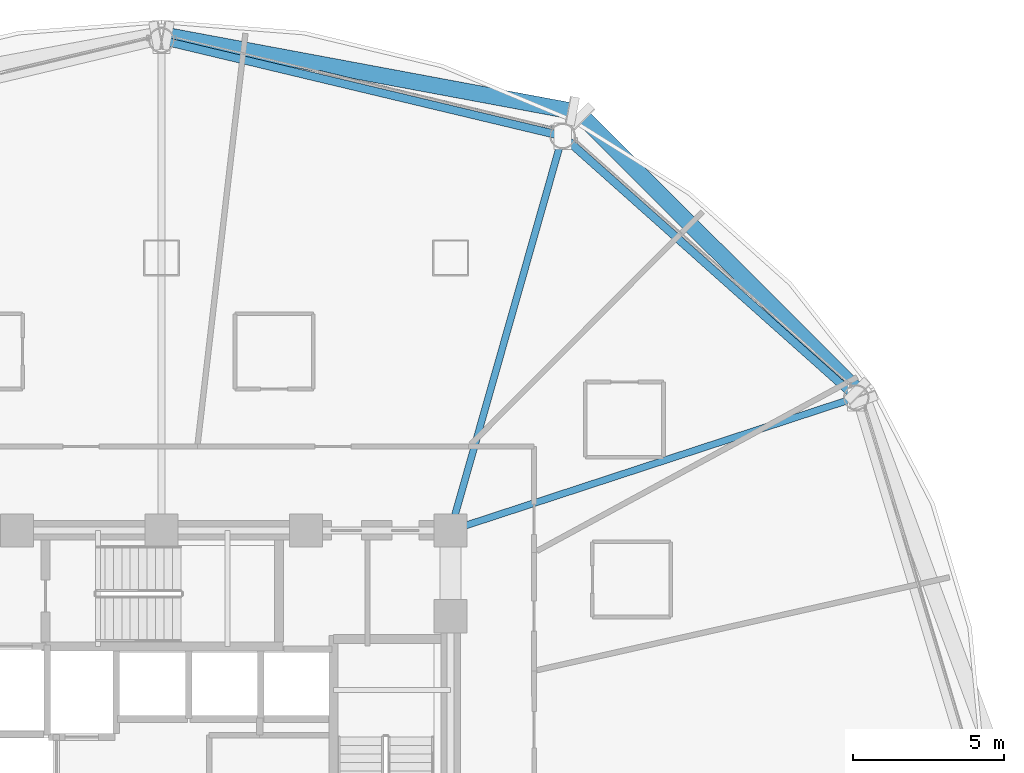
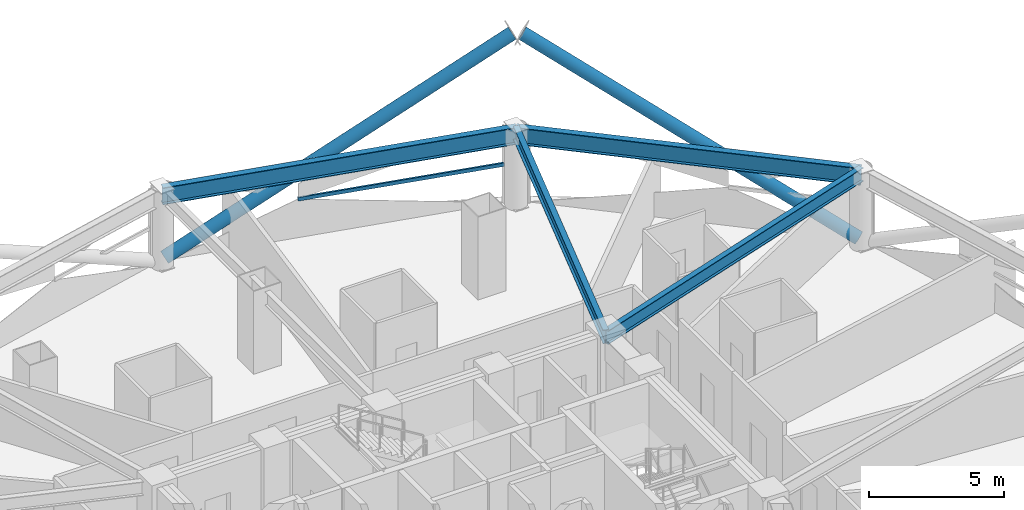
# One storey, part 19 of 30: 4 beams, 3 members, 1 element without a shape of its own.
"""IFC4 building model written with IfcOpenShell, lengths in metres."""

import ifcopenshell
import ifcopenshell.guid

model = None  # the IFC model being written
_history = None  # IfcOwnerHistory: only IFC2X3 demands one
_inside = {}  # id of a spatial element -> (the spatial element, [elements in it])
_under = {}  # id of a project, library or spatial element -> (it, [spatial elements below it])
_declared = {}  # id of a project -> (the project, [libraries it declares])
_typed = {}  # id of a type object -> (the type object, [elements of that type])
_made_of = {}  # id of a material, layer set ... -> (it, [elements and type objects made of it])


def new_model(schema):
    """Start an empty IFC model of exactly this schema.

    Asked for "IFC4X3", IfcOpenShell would pick the latest addendum, in which some entities
    have other attributes; the version numbers below select the first issue.
    IFC2X3 requires an IfcOwnerHistory on every rooted entity: one is made here for all.
    """
    global model, _history
    if schema == "IFC4X3":
        model = ifcopenshell.file(schema_version=(4, 3, 0, 0))
    else:
        model = ifcopenshell.file(schema=schema)
    _inside.clear()
    _under.clear()
    _declared.clear()
    _typed.clear()
    _made_of.clear()
    _history = None
    if model.schema == "IFC2X3":
        org = make("IfcOrganization", Name="unknown")
        user = make(
            "IfcPersonAndOrganization",
            ThePerson=make("IfcPerson", FamilyName="unknown"),
            TheOrganization=org,
        )
        app = make(
            "IfcApplication",
            ApplicationDeveloper=org,
            Version="unknown",
            ApplicationFullName="unknown",
            ApplicationIdentifier="unknown",
        )
        _history = make(
            "IfcOwnerHistory",
            OwningUser=user,
            OwningApplication=app,
            ChangeAction="ADDED",
            CreationDate=0,
        )
    return model


def make(cls, **values):
    """One entity of the class cls with the attributes given. An attribute that is None is left unset."""
    return model.create_entity(
        cls, **{name: value for name, value in values.items() if value is not None}
    )


def rooted(cls, **values):
    """An entity with a GlobalId (a new one), such as an element, a storey or a relation."""
    return make(cls, GlobalId=ifcopenshell.guid.new(), OwnerHistory=_history, **values)


def si_unit(unit_type, name, prefix=None):
    """IfcSIUnit, for example si_unit("LENGTHUNIT", "METRE", prefix="MILLI")."""
    return make("IfcSIUnit", UnitType=unit_type, Prefix=prefix, Name=name)


def assignment(units):
    """IfcUnitAssignment: the units of a project."""
    return None if units is None else make("IfcUnitAssignment", Units=units)


def point(xyz):
    """IfcCartesianPoint."""
    return None if xyz is None else make("IfcCartesianPoint", Coordinates=xyz)


def direction(xyz):
    """IfcDirection."""
    return None if xyz is None else make("IfcDirection", DirectionRatios=xyz)


def frame(location, z_axis=None, x_axis=None):
    """IfcAxis2Placement3D, a coordinate frame: its origin and axes. An axis left out is left unset."""
    return make(
        "IfcAxis2Placement3D",
        Location=point(location),
        Axis=direction(z_axis),
        RefDirection=direction(x_axis),
    )


def frame_2d(location, x_axis=None):
    """IfcAxis2Placement2D, a coordinate frame in the plane: its origin and x axis."""
    return make(
        "IfcAxis2Placement2D", Location=point(location), RefDirection=direction(x_axis)
    )


def origin():
    """The frame at (0, 0, 0) with its axes left unset."""
    return frame((0.0, 0.0, 0.0))


def origin_2d():
    """The frame at (0, 0) in the plane with its x axis left unset."""
    return frame_2d((0.0, 0.0))


def place(relative_to, where):
    """IfcLocalPlacement: puts the frame where relative to a parent placement (None: the world)."""
    return make(
        "IfcLocalPlacement", PlacementRelTo=relative_to, RelativePlacement=where
    )


def context(
    kind, dimensions, precision=None, world=None, true_north=None, identifier=None
):
    """IfcGeometricRepresentationContext, for example the 3D "Model" context."""
    return make(
        "IfcGeometricRepresentationContext",
        ContextIdentifier=identifier,
        ContextType=kind,
        CoordinateSpaceDimension=dimensions,
        Precision=precision,
        WorldCoordinateSystem=world,
        TrueNorth=true_north,
    )


def subcontext(parent, identifier, kind, view, scale=None):
    """IfcGeometricRepresentationSubContext, for example "Body" below "Model"."""
    return make(
        "IfcGeometricRepresentationSubContext",
        ContextIdentifier=identifier,
        ContextType=kind,
        ParentContext=parent,
        TargetScale=scale,
        TargetView=view,
    )


def project(units=None, contexts=None):
    """IfcProject with its units and contexts."""
    return rooted(
        "IfcProject",
        Name="project",
        RepresentationContexts=contexts,
        UnitsInContext=assignment(units),
    )


def spatial(cls, under=None, at=None, **own):
    """A site, building, storey or space (cls), placed at a placement, below another one or the project."""
    s = rooted(cls, ObjectPlacement=at, **own)
    if under is not None:
        _under.setdefault(under.id(), (under, []))[1].append(s)
    return s


def profile(cls, at=None, kind="AREA", **sizes):
    """A parametric profile (cls). Its sizes go by their IFC names, for example OverallWidth=200.0."""
    return make(cls, ProfileType=kind, Position=at, **sizes)


def hollow_rectangle(**sizes):
    """IfcRectangleHollowProfileDef."""
    return profile("IfcRectangleHollowProfileDef", **sizes)


def hollow_circle(**sizes):
    """IfcCircleHollowProfileDef."""
    return profile("IfcCircleHollowProfileDef", **sizes)


def i_section(**sizes):
    """IfcIShapeProfileDef."""
    return profile("IfcIShapeProfileDef", **sizes)


def extrude(swept, where, along, depth):
    """IfcExtrudedAreaSolid: the profile swept, set in the frame where, extruded along a direction by depth."""
    return make(
        "IfcExtrudedAreaSolid",
        SweptArea=swept,
        Position=where,
        ExtrudedDirection=direction(along),
        Depth=depth,
    )


def shape(context_of_items, identifier, shape_type, items):
    """IfcShapeRepresentation: the items that make up one representation, for example the "Body"."""
    return make(
        "IfcShapeRepresentation",
        ContextOfItems=context_of_items,
        RepresentationIdentifier=identifier,
        RepresentationType=shape_type,
        Items=items,
    )


def material(Name=None, Category=None):
    """IfcMaterial."""
    return make("IfcMaterial", Name=Name, Category=Category)


def layer(
    of_material, thickness, ventilated=None, Name=None, Category=None, Priority=None
):
    """IfcMaterialLayer: one layer of a wall or slab, of a material (None: an air gap)."""
    return make(
        "IfcMaterialLayer",
        Material=of_material,
        LayerThickness=thickness,
        IsVentilated=ventilated,
        Name=Name,
        Category=Category,
        Priority=Priority,
    )


def layer_set(layers, Name=None):
    """IfcMaterialLayerSet."""
    return make("IfcMaterialLayerSet", MaterialLayers=layers, LayerSetName=Name)


def material_profile(
    of_material, cross_section, Name=None, Category=None, Priority=None
):
    """IfcMaterialProfile: a cross section and its material."""
    return make(
        "IfcMaterialProfile",
        Name=Name,
        Material=of_material,
        Profile=cross_section,
        Priority=Priority,
        Category=Category,
    )


def profile_set(profiles, Name=None, composite=None):
    """IfcMaterialProfileSet."""
    return make(
        "IfcMaterialProfileSet",
        Name=Name,
        MaterialProfiles=profiles,
        CompositeProfile=composite,
    )


def made_of(thing, what):
    """Note that an element or type object is made of a material, layer set ...; save() writes the relation."""
    if what is not None:
        _made_of.setdefault(what.id(), (what, []))[1].append(thing)
    return thing


def type_object(cls, material=None, **own):
    """A type object (cls), such as IfcWallType, which elements share."""
    return made_of(rooted(cls, **own), material)


def element(
    cls,
    number,
    at=None,
    inside=None,
    cuts=None,
    type_object=None,
    material=None,
    context=None,
    identifier="Body",
    shape_type=None,
    held_by="IfcProductDefinitionShape",
    body=None,
    shapes=None,
    **own,
):
    """One element of the class cls, such as IfcWall. Its Tag is "e" and its number.

    at: its placement. inside: the storey or other place that contains it. cuts: it is an
    opening in that element (IfcRelVoidsElement). A single representation is given by context,
    identifier, shape_type and body (its items); several are given by shapes. held_by: the class
    of the entity that holds the representations. save() writes the other relations.
    """
    e = rooted(cls, Tag="e%d" % number, ObjectPlacement=at, **own)
    if body is not None:
        shapes = [shape(context, identifier, shape_type, body)]
    if shapes is not None:
        e.Representation = make(held_by, Representations=shapes)
    if inside is not None:
        _inside.setdefault(inside.id(), (inside, []))[1].append(e)
    if cuts is not None:
        rooted(
            "IfcRelVoidsElement", RelatingBuildingElement=cuts, RelatedOpeningElement=e
        )
    if type_object is not None:
        _typed.setdefault(type_object.id(), (type_object, []))[1].append(e)
    return made_of(e, material)


def aggregate(whole, parts):
    """IfcRelAggregates: a whole, such as a stair, and the parts it consists of."""
    return rooted("IfcRelAggregates", RelatingObject=whole, RelatedObjects=parts)


def save(model, path):
    """Write the relations noted so far, then the file.

    IfcRelAggregates (storeys below a building ...), IfcRelContainedInSpatialStructure (elements
    in a storey), IfcRelDefinesByType, IfcRelAssociatesMaterial and IfcRelDeclares: one each for
    every whole, place, type object, material and project.
    """
    for whole, parts in _under.values():
        aggregate(whole, parts)
    for where, things in _inside.values():
        rooted(
            "IfcRelContainedInSpatialStructure",
            RelatedElements=things,
            RelatingStructure=where,
        )
    for kind, things in _typed.values():
        rooted("IfcRelDefinesByType", RelatedObjects=things, RelatingType=kind)
    for what, things in _made_of.values():
        rooted("IfcRelAssociatesMaterial", RelatedObjects=things, RelatingMaterial=what)
    for by, libraries in _declared.values():
        rooted("IfcRelDeclares", RelatingContext=by, RelatedDefinitions=libraries)
    model.write(path)


model = new_model("IFC4")

# Units and contexts
model_context = context("Model", 3, precision=1e-05, world=origin(), true_north=direction((0.0, 1.0)))
body_context = subcontext(model_context, "Body", "Model", "MODEL_VIEW")
ifc_project = project(units=[si_unit("LENGTHUNIT", "METRE"), si_unit("AREAUNIT", "SQUARE_METRE"), si_unit("VOLUMEUNIT", "CUBIC_METRE"), si_unit("PLANEANGLEUNIT", "RADIAN"), si_unit("MASSUNIT", "GRAM", prefix="KILO")], contexts=[model_context])

# Site, building, storey
site_placement = place(None, origin())
site = spatial("IfcSite", under=ifc_project, at=site_placement, CompositionType="ELEMENT")
building_placement = place(site_placement, origin())
building = spatial("IfcBuilding", under=site, at=building_placement, Name="Vantalir Tower", CompositionType="ELEMENT")
storey_placement = place(building_placement, frame((0.0, 0.0, 49.5)))
storey = spatial("IfcBuildingStorey", under=building, at=storey_placement, Name="L11", CompositionType="ELEMENT", Elevation=49.5)

# Beams
ifc_material_1 = material(Name="Steel S355", Category="steel")
ifc_material_profile_1 = material_profile(ifc_material_1, i_section(OverallWidth=0.22998046875, OverallDepth=0.616943359375, WebThickness=0.01318359375, FlangeThickness=0.022216796875, at=origin_2d()), Name="Steel S355")
ifc_profile_set_1 = profile_set([ifc_material_profile_1], Name="Steel S355")
beam_type_1 = type_object("IfcBeamType", Name="BM-RB-610x229", PredefinedType="BEAM", material=ifc_profile_set_1)
beam_1_placement = place(storey_placement, frame((54.570068359375, 36.863037109375, 3.261962890625), z_axis=(-0.950298396934, -0.311340580048, 0.0), x_axis=(0.311340580048, -0.950298396934, 0.0)))
element("IfcBeam", 1, at=beam_1_placement, inside=storey, type_object=beam_type_1, Name="L11 Radial Floor Beam 02", PredefinedType="BEAM", context=body_context, shape_type="SweptSolid", body=[
    extrude(i_section(OverallWidth=0.22998046875, OverallDepth=0.616943359375, WebThickness=0.01318359375, FlangeThickness=0.022216796875, at=origin_2d()), origin(), (0.0, 0.0, 1.0), 14.174560546875),
])
beam_2_placement = place(storey_placement, frame((44.820068359375, 45.547119140625, 3.261962890625), z_axis=(-0.273221656267, -0.961951104031, 0.0), x_axis=(0.961951104031, -0.273221656267, 0.0)))
element("IfcBeam", 2, at=beam_2_placement, inside=storey, type_object=beam_type_1, Name="L11 Radial Floor Beam 03", PredefinedType="BEAM", context=body_context, shape_type="SweptSolid", body=[
    extrude(i_section(OverallWidth=0.22998046875, OverallDepth=0.616943359375, WebThickness=0.01318359375, FlangeThickness=0.022216796875, at=origin_2d()), origin(), (0.0, 0.0, 1.0), 13.615234375),
])
ifc_material_2 = material(Name="Steel S460", Category="steel")
ifc_material_profile_2 = material_profile(ifc_material_2, i_section(OverallWidth=0.26806640625, OverallDepth=0.77001953125, WebThickness=0.015625, FlangeThickness=0.025390625, at=origin_2d()), Name="Steel S460")
ifc_profile_set_2 = profile_set([ifc_material_profile_2], Name="Steel S460")
beam_type_2 = type_object("IfcBeamType", Name="BM-RG-762x267", PredefinedType="USERDEFINED", material=ifc_profile_set_2)
beam_3_placement = place(storey_placement, frame((54.570068359375, 36.863037109375, 3.18505859375), z_axis=(-0.746746630555, 0.665108615005, 0.0), x_axis=(-0.665108615005, -0.746746630555, 0.0)))
element("IfcBeam", 3, at=beam_3_placement, inside=storey, type_object=beam_type_2, Name="L11 Circumferential Ring Girder 02", ObjectType="GIRDER", PredefinedType="USERDEFINED", context=body_context, shape_type="SweptSolid", body=[
    extrude(i_section(OverallWidth=0.26806640625, OverallDepth=0.77001953125, WebThickness=0.015625, FlangeThickness=0.025390625, at=origin_2d()), origin(), (0.0, 0.0, 1.0), 13.056640625),
])
beam_4_placement = place(storey_placement, frame((44.820068359375, 45.547119140625, 3.18505859375), z_axis=(-0.972682503887, 0.232139498215, 0.0), x_axis=(-0.232139498215, -0.972682503887, 0.0)))
element("IfcBeam", 4, at=beam_4_placement, inside=storey, type_object=beam_type_2, Name="L11 Circumferential Ring Girder 03", ObjectType="GIRDER", PredefinedType="USERDEFINED", context=body_context, shape_type="SweptSolid", body=[
    extrude(i_section(OverallWidth=0.26806640625, OverallDepth=0.77001953125, WebThickness=0.015625, FlangeThickness=0.025390625, at=origin_2d()), origin(), (0.0, 0.0, 1.0), 13.694091796875),
])

# Curtain wall, member
ifc_material_3 = material(Name="Champagne-silver PVDF aluminium and double-silver Low-E glass", Category="aluminium")
ifc_layer = layer(ifc_material_3, 0.18994140625)
ifc_layer_set = layer_set([ifc_layer], Name="Champagne-silver PVDF aluminium and double-silver Low-E glass")
curtain_wall_type = type_object("IfcCurtainWallType", Name="CW-DIAMOND-Z1", PredefinedType="USERDEFINED", material=ifc_layer_set)
curtain_wall_placement = place(storey_placement, origin())
curtain_wall = element("IfcCurtainWall", 5, at=curtain_wall_placement, inside=storey, type_object=curtain_wall_type, Name="L11 Quilted Pyramid-Diamond Curtain Wall S03", ObjectType="UNITISED CURTAIN WALL", PredefinedType="USERDEFINED")
ifc_material_4 = material(Name="Champagne-silver PVDF aluminium 6063-T6", Category="aluminium")
ifc_material_profile_3 = material_profile(ifc_material_4, hollow_rectangle(XDim=0.074951171875, YDim=0.159912109375, WallThickness=0.00390625, at=origin_2d()), Name="Champagne-silver PVDF aluminium 6063-T6")
ifc_profile_set_3 = profile_set([ifc_material_profile_3], Name="Champagne-silver PVDF aluminium 6063-T6")
member_type_1 = type_object("IfcMemberType", Name="CWT-160x75", PredefinedType="USERDEFINED", material=ifc_profile_set_3)
member_1_placement = place(storey_placement, frame((44.4580078125, 45.821044921875, 1.784912109375), z_axis=(-0.971924881913, 0.235291359636, 0.0), x_axis=(-0.235291359636, -0.971924881913, 0.0)))
member_1 = element("IfcMember", 6, at=member_1_placement, type_object=member_type_1, Name="CW-L11-S03 Pyramid Fold Ridge Transom", ObjectType="TRANSOM", PredefinedType="USERDEFINED", context=body_context, shape_type="SweptSolid", body=[
    extrude(hollow_rectangle(XDim=0.074951171875, YDim=0.159912109375, WallThickness=0.00390625, at=origin_2d()), origin(), (0.0, 0.0, 1.0), 7.96875),
])
aggregate(curtain_wall, [member_1])

# Members
ifc_material_profile_4 = material_profile(ifc_material_2, hollow_circle(Radius=0.27001953125, WallThickness=0.044921875, at=origin_2d()), Name="Steel S460")
ifc_profile_set_4 = profile_set([ifc_material_profile_4], Name="Steel S460")
member_type_2 = type_object("IfcMemberType", Name="MEM-DB-540x45", PredefinedType="BRACE", material=ifc_profile_set_4)
member_2_placement = place(storey_placement, frame((54.597900390625, 37.094970703125, 0.18408203125), z_axis=(-0.623595670539, 0.62141357708, 0.474313826391), x_axis=(-0.705866370422, -0.708345019822, 0.0)))
element("IfcMember", 7, at=member_2_placement, inside=storey, type_object=member_type_2, Name="L11 Perimeter S460 Diagrid Brace R04L", PredefinedType="BRACE", context=body_context, shape_type="SweptSolid", body=[
    extrude(hollow_circle(Radius=0.27001953125, WallThickness=0.044921875, at=origin_2d()), origin(), (0.0, 0.0, 1.0), 14.65673828125),
])
member_3_placement = place(storey_placement, frame((31.693115234375, 48.8798828125, 0.179931640625), z_axis=(0.876008950765, -0.163265692617, 0.453820043403), x_axis=(0.183219515229, 0.983072026476, 0.0)))
element("IfcMember", 8, at=member_3_placement, inside=storey, type_object=member_type_2, Name="L11 Perimeter S460 Diagrid Brace R10R", PredefinedType="BRACE", context=body_context, shape_type="SweptSolid", body=[
    extrude(hollow_circle(Radius=0.27001953125, WallThickness=0.044921875, at=origin_2d()), origin(), (0.0, 0.0, 1.0), 15.33642578125),
])

save(model, "model.ifc")
